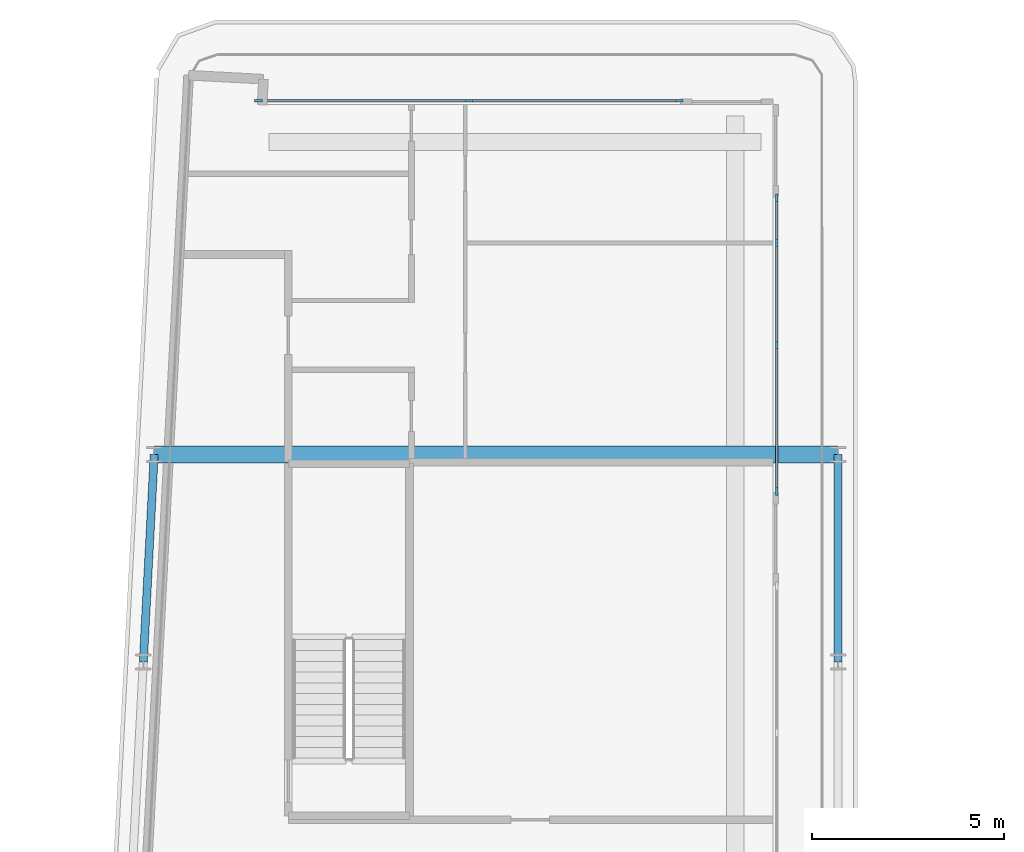
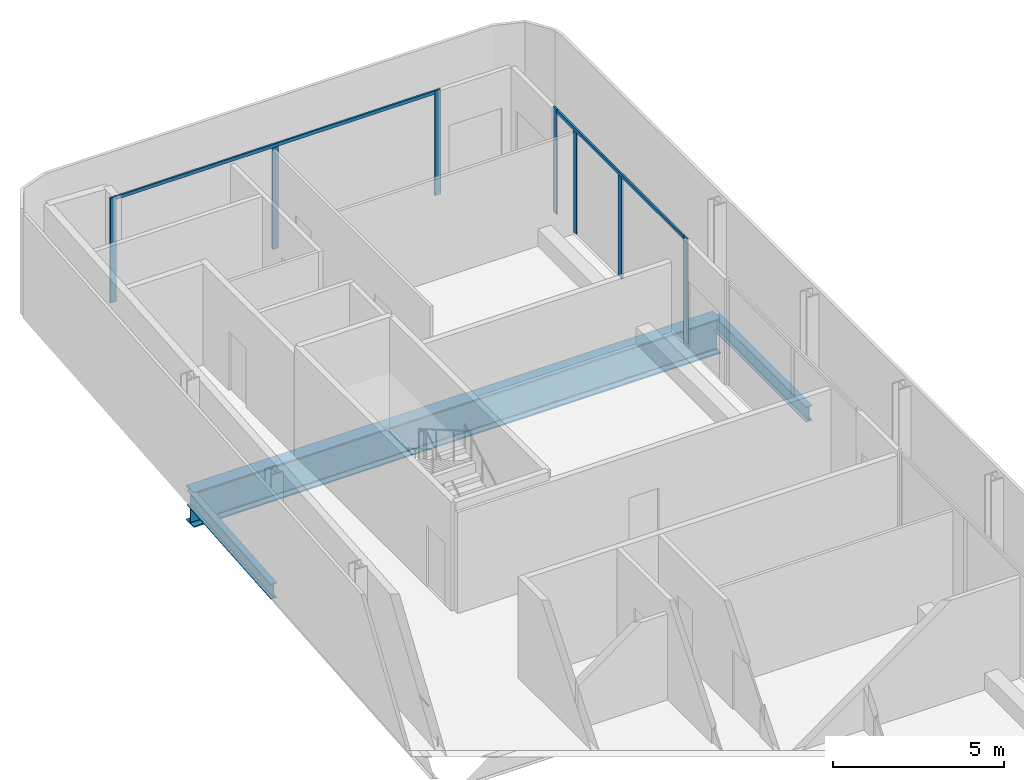
# One storey, part 7 of 22: 9 members, 3 beams, 2 elements without a shape of their own.
"""IFC4 building model written with IfcOpenShell, lengths in metres."""

from ifc_helpers import new_model, si_unit, direction, frame, origin, origin_2d, place, context, subcontext, project, spatial, rectangle, i_section, extrude, material, layer, layer_set, material_profile, profile_set, type_object, element, aggregate, save


model = new_model("IFC4")

# Units and contexts
model_context = context("Model", 3, precision=1e-05, world=origin(), true_north=direction((0.0, 1.0)))
body_context = subcontext(model_context, "Body", "Model", "MODEL_VIEW")
ifc_project = project(units=[si_unit("LENGTHUNIT", "METRE"), si_unit("AREAUNIT", "SQUARE_METRE"), si_unit("VOLUMEUNIT", "CUBIC_METRE"), si_unit("PLANEANGLEUNIT", "RADIAN"), si_unit("MASSUNIT", "GRAM", prefix="KILO")], contexts=[model_context])

# Site, building, storey
site_placement = place(None, origin())
site = spatial("IfcSite", under=ifc_project, at=site_placement, CompositionType="ELEMENT")
building_placement = place(site_placement, origin())
building = spatial("IfcBuilding", under=site, at=building_placement, Name="Kheshtan School and Residences Tower", CompositionType="ELEMENT")
storey_placement = place(building_placement, frame((0.0, 0.0, 263.0)))
storey = spatial("IfcBuildingStorey", under=building, at=storey_placement, Name="L62", CompositionType="ELEMENT", Elevation=263.0)

# Beams
ifc_material_1 = material(Name="Steel ASTM A992 Grade 50", Category="steel")
ifc_material_profile_1 = material_profile(ifc_material_1, i_section(OverallWidth=0.208984375, OverallDepth=0.532958984375, WebThickness=0.01025390625, FlangeThickness=0.015625, FilletRadius=0.013916015625, at=origin_2d()), Name="W530x92")
ifc_profile_set_1 = profile_set([ifc_material_profile_1], Name="Steel ASTM A992 Grade 50")
beam_type_1 = type_object("IfcBeamType", Name="Beam SP3 W530x92 ASTM A992 Grade 50", PredefinedType="BEAM", material=ifc_profile_set_1)
beam_1_placement = place(storey_placement, frame((47.60009765625, 88.800048828125, -0.41650390625), z_axis=(0.0, -1.0, 0.0), x_axis=(1.0, 0.0, 0.0)))
element("IfcBeam", 1, at=beam_1_placement, inside=storey, type_object=beam_type_1, Name="Spandrel beam C099-C091", PredefinedType="BEAM", context=body_context, shape_type="SweptSolid", body=[
    extrude(i_section(OverallWidth=0.208984375, OverallDepth=0.532958984375, WebThickness=0.01025390625, FlangeThickness=0.015625, FilletRadius=0.013916015625, at=origin_2d()), origin(), (0.0, 0.0, 1.0), 5.400146484375),
])
beam_2_placement = place(storey_placement, frame((29.527099609375, 83.39990234375, -0.41650390625), z_axis=(0.05250670125, 0.998620571751, 0.0), x_axis=(-0.998620571751, 0.05250670125, 0.0)))
element("IfcBeam", 2, at=beam_2_placement, inside=storey, type_object=beam_type_1, Name="Spandrel beam C090-C098", PredefinedType="BEAM", context=body_context, shape_type="SweptSolid", body=[
    extrude(i_section(OverallWidth=0.208984375, OverallDepth=0.532958984375, WebThickness=0.01025390625, FlangeThickness=0.015625, FilletRadius=0.013916015625, at=origin_2d()), origin(), (0.0, 0.0, 1.0), 5.40771484375),
])

# Curtain wall, members
ifc_material_2 = material(Name="Clear low-e glass in thermally broken aluminium frame", Category="aluminium")
ifc_layer = layer(ifc_material_2, 0.199951171875)
ifc_layer_set = layer_set([ifc_layer], Name="Curtain wall CW-L")
curtain_wall_type = type_object("IfcCurtainWallType", Name="Curtain wall CW-L", PredefinedType="NOTDEFINED", material=ifc_layer_set)
curtain_wall_1_placement = place(storey_placement, origin())
curtain_wall_1 = element("IfcCurtainWall", 3, at=curtain_wall_1_placement, inside=storey, type_object=curtain_wall_type, Name="Curtain wall CWL7", PredefinedType="NOTDEFINED")
ifc_material_3 = material(Name="Thermally broken aluminium, dark bronze anodised", Category="aluminium")
ifc_material_profile_2 = material_profile(ifc_material_3, rectangle(XDim=0.06005859375, YDim=0.199951171875, at=origin_2d()), Name="CW-L mullion 60x200")
ifc_profile_set_2 = profile_set([ifc_material_profile_2], Name="Thermally broken aluminium, dark bronze anodised")
member_type_1 = type_object("IfcMemberType", Name="CW-L mullion 60x200", PredefinedType="MULLION", material=ifc_profile_set_2)
member_1_placement = place(storey_placement, frame((32.52197265625, 98.0, 0.0), z_axis=(0.0, 0.0, 1.0), x_axis=(0.0, 1.0, 0.0)))
member_1 = element("IfcMember", 4, at=member_1_placement, type_object=member_type_1, Name="CWL7 mullion 1", PredefinedType="MULLION", context=body_context, shape_type="SweptSolid", body=[
    extrude(rectangle(XDim=0.06005859375, YDim=0.199951171875, at=origin_2d()), origin(), (0.0, 0.0, 1.0), 3.75),
])
member_2_placement = place(storey_placement, frame((37.99609375, 98.0, 0.0), z_axis=(0.0, 0.0, 1.0), x_axis=(0.0, 1.0, 0.0)))
member_2 = element("IfcMember", 5, at=member_2_placement, type_object=member_type_1, Name="CWL7 mullion 2", PredefinedType="MULLION", context=body_context, shape_type="SweptSolid", body=[
    extrude(rectangle(XDim=0.06005859375, YDim=0.199951171875, at=origin_2d()), origin(), (0.0, 0.0, 1.0), 3.6298828125),
])
member_3_placement = place(storey_placement, frame((43.469970703125, 98.0, 0.0), z_axis=(0.0, 0.0, 1.0), x_axis=(0.0, 1.0, 0.0)))
member_3 = element("IfcMember", 6, at=member_3_placement, type_object=member_type_1, Name="CWL7 mullion 3", PredefinedType="MULLION", context=body_context, shape_type="SweptSolid", body=[
    extrude(rectangle(XDim=0.06005859375, YDim=0.199951171875, at=origin_2d()), origin(), (0.0, 0.0, 1.0), 3.75),
])

curtain_wall_2_placement = place(storey_placement, origin())
curtain_wall_2 = element("IfcCurtainWall", 7, at=curtain_wall_2_placement, inside=storey, type_object=curtain_wall_type, Name="Curtain wall CWL8c", PredefinedType="NOTDEFINED")
member_4_placement = place(storey_placement, frame((46.0, 95.469970703125, 0.0), z_axis=(0.0, 0.0, 1.0), x_axis=(1.0, 0.0, 0.0)))
member_4 = element("IfcMember", 8, at=member_4_placement, type_object=member_type_1, Name="CWL8c mullion 1", PredefinedType="MULLION", context=body_context, shape_type="SweptSolid", body=[
    extrude(rectangle(XDim=0.06005859375, YDim=0.199951171875, at=origin_2d()), origin(), (0.0, 0.0, 1.0), 3.75),
])
member_5_placement = place(storey_placement, frame((46.0, 94.300048828125, 0.0), z_axis=(0.0, 0.0, 1.0), x_axis=(1.0, 0.0, 0.0)))
member_5 = element("IfcMember", 9, at=member_5_placement, type_object=member_type_1, Name="CWL8c mullion 2", PredefinedType="MULLION", context=body_context, shape_type="SweptSolid", body=[
    extrude(rectangle(XDim=0.06005859375, YDim=0.199951171875, at=origin_2d()), origin(), (0.0, 0.0, 1.0), 3.6298828125),
])
member_6_placement = place(storey_placement, frame((46.0, 91.653076171875, 0.0), z_axis=(0.0, 0.0, 1.0), x_axis=(1.0, 0.0, 0.0)))
member_6 = element("IfcMember", 10, at=member_6_placement, type_object=member_type_1, Name="CWL8c mullion 3", PredefinedType="MULLION", context=body_context, shape_type="SweptSolid", body=[
    extrude(rectangle(XDim=0.06005859375, YDim=0.199951171875, at=origin_2d()), origin(), (0.0, 0.0, 1.0), 3.6298828125),
])
member_7_placement = place(storey_placement, frame((46.0, 87.8359375, 0.0), z_axis=(0.0, 0.0, 1.0), x_axis=(1.0, 0.0, 0.0)))
member_7 = element("IfcMember", 11, at=member_7_placement, type_object=member_type_1, Name="CWL8c mullion 4", PredefinedType="MULLION", context=body_context, shape_type="SweptSolid", body=[
    extrude(rectangle(XDim=0.06005859375, YDim=0.199951171875, at=origin_2d()), origin(), (0.0, 0.0, 1.0), 3.75),
])

# Member
ifc_material_profile_3 = material_profile(ifc_material_3, rectangle(XDim=0.06005859375, YDim=0.1201171875, at=origin_2d()), Name="CW-L transom 60x120")
ifc_profile_set_3 = profile_set([ifc_material_profile_3], Name="Thermally broken aluminium, dark bronze anodised")
member_type_2 = type_object("IfcMemberType", Name="CW-L transom 60x120", PredefinedType="USERDEFINED", material=ifc_profile_set_3)
member_8_placement = place(storey_placement, frame((32.552001953125, 98.0, 3.68994140625), z_axis=(1.0, 0.0, 0.0), x_axis=(0.0, 1.0, 0.0)))
member_8 = element("IfcMember", 12, at=member_8_placement, type_object=member_type_2, Name="CWL7 transom 1", ObjectType="TRANSOM", PredefinedType="USERDEFINED", context=body_context, shape_type="SweptSolid", body=[
    extrude(rectangle(XDim=0.06005859375, YDim=0.1201171875, at=origin_2d()), origin(), (0.0, 0.0, 1.0), 10.887939453125),
])

aggregate(curtain_wall_1, [member_1, member_2, member_3, member_8])

member_9_placement = place(storey_placement, frame((46.0, 95.43994140625, 3.68994140625), z_axis=(0.0, -1.0, 0.0), x_axis=(1.0, 0.0, 0.0)))
member_9 = element("IfcMember", 13, at=member_9_placement, type_object=member_type_2, Name="CWL8c transom 1", ObjectType="TRANSOM", PredefinedType="USERDEFINED", context=body_context, shape_type="SweptSolid", body=[
    extrude(rectangle(XDim=0.06005859375, YDim=0.1201171875, at=origin_2d()), origin(), (0.0, 0.0, 1.0), 7.573974609375),
])

aggregate(curtain_wall_2, [member_4, member_5, member_6, member_7, member_9])

# Beam
ifc_material_profile_4 = material_profile(ifc_material_1, i_section(OverallWidth=0.449951171875, OverallDepth=1.25, WebThickness=0.02490234375, FlangeThickness=0.044921875, FilletRadius=0.03759765625, at=origin_2d()), Name="WWF1250x546")
ifc_profile_set_4 = profile_set([ifc_material_profile_4], Name="Steel ASTM A992 Grade 50")
beam_type_2 = type_object("IfcBeamType", Name="Transfer girder TG4 WWF1250x546 ASTM A992 Grade 50", PredefinedType="BEAM", material=ifc_profile_set_4)
beam_3_placement = place(storey_placement, frame((29.81103515625, 88.800048828125, -0.77490234375), z_axis=(1.0, 0.0, 0.0), x_axis=(0.0, 1.0, 0.0)))
element("IfcBeam", 14, at=beam_3_placement, inside=storey, type_object=beam_type_2, Name="Transfer girder C098-C099", PredefinedType="BEAM", context=body_context, shape_type="SweptSolid", body=[
    extrude(i_section(OverallWidth=0.449951171875, OverallDepth=1.25, WebThickness=0.02490234375, FlangeThickness=0.044921875, FilletRadius=0.03759765625, at=origin_2d()), origin(), (0.0, 0.0, 1.0), 17.7890625),
])

save(model, "model.ifc")
